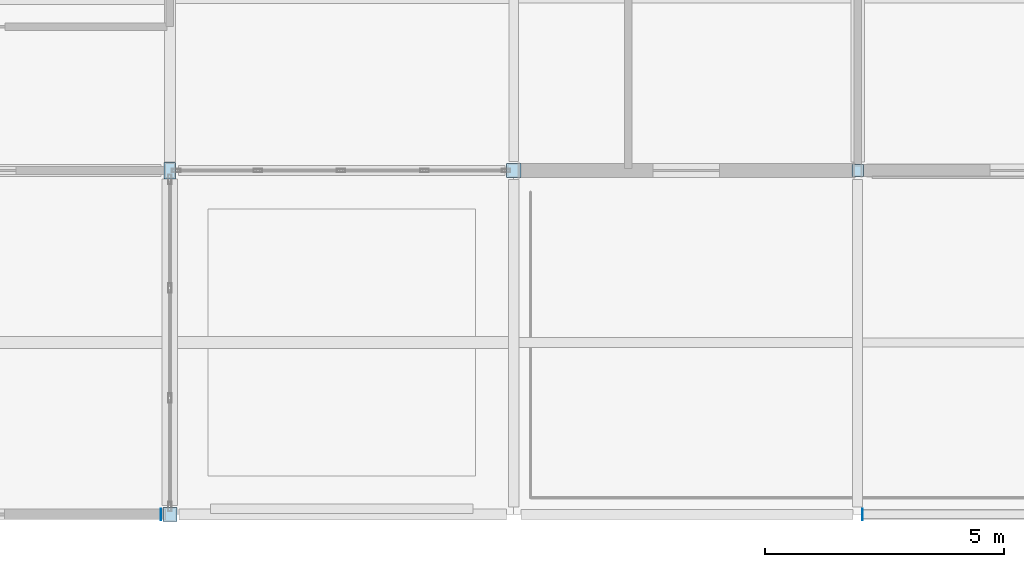
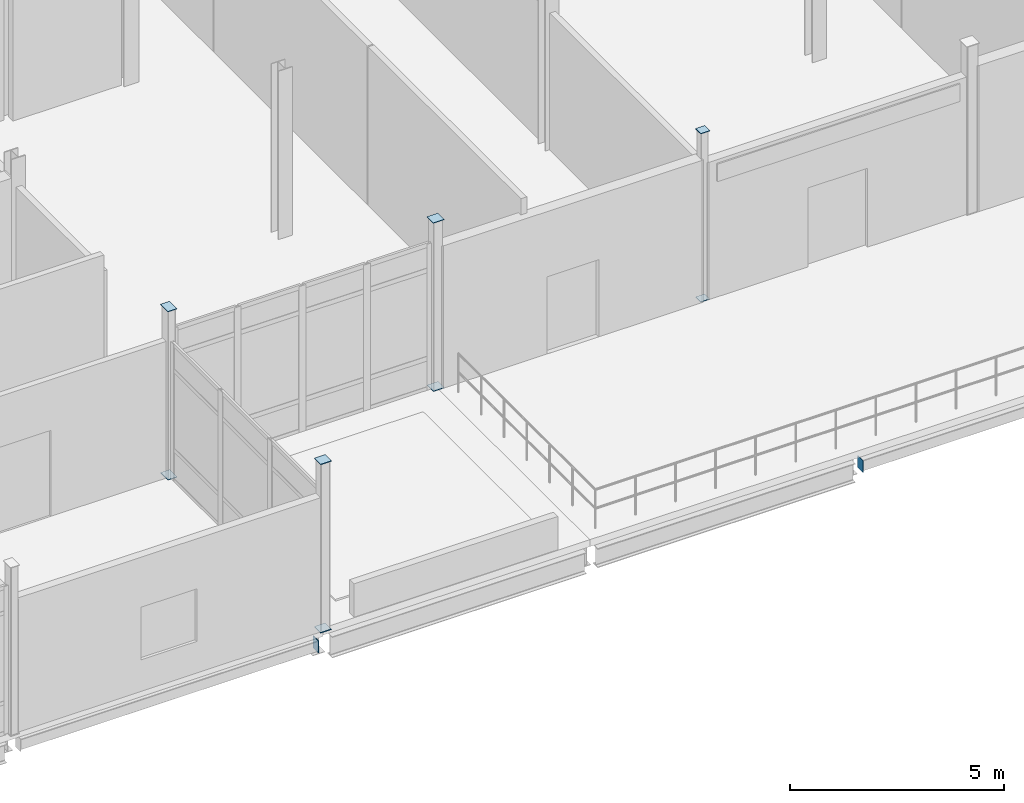
# One storey, part 142 of 186: 10 plates.
"""IFC4 building model written with IfcOpenShell, lengths in metres."""

from ifc_helpers import new_model, si_unit, direction, frame, origin, origin_2d, place, context, subcontext, project, spatial, rectangle, extrude, material, layer, layer_set, type_object, element, save


model = new_model("IFC4")

# Units and contexts
model_context = context("Model", 3, precision=1e-05, world=origin(), true_north=direction((0.0, 1.0)))
body_context = subcontext(model_context, "Body", "Model", "MODEL_VIEW")
ifc_project = project(units=[si_unit("LENGTHUNIT", "METRE"), si_unit("AREAUNIT", "SQUARE_METRE"), si_unit("VOLUMEUNIT", "CUBIC_METRE"), si_unit("PLANEANGLEUNIT", "RADIAN"), si_unit("MASSUNIT", "GRAM", prefix="KILO")], contexts=[model_context])

# Site, building, storey
site_placement = place(None, origin())
site = spatial("IfcSite", under=ifc_project, at=site_placement, CompositionType="ELEMENT")
building_placement = place(site_placement, origin())
building = spatial("IfcBuilding", under=site, at=building_placement, Name="Calvrana Isthmian Art Gallery", CompositionType="ELEMENT")
storey_placement = place(building_placement, frame((0.0, 0.0, 5.39990234375)))
storey = spatial("IfcBuildingStorey", under=building, at=storey_placement, Name="L01", CompositionType="ELEMENT", Elevation=5.39990234375)

# Plates
ifc_material = material(Name="Steel ASTM A572 Gr 50", Category="steel")
ifc_layer = layer(ifc_material, 0.01611328125, Name="Steel ASTM A572 Gr 50")
ifc_layer_set = layer_set([ifc_layer], Name="Steel ASTM A572 Gr 50")
plate_type = type_object("IfcPlateType", Name="PL-CAP-16", PredefinedType="SHEET", material=ifc_layer_set)
for number, where, z_axis, x_axis, name in (
    (1, (112.800048828125, 0.0, -0.008056640625), (0.0, 0.0, 1.0), (1.0, 0.0, 0.0), "Hollow section end cap plate 255"),
    (2, (112.800048828125, 0.0, 4.7919921875), (0.0, 0.0, 1.0), (1.0, 0.0, 0.0), "Hollow section end cap plate 256"),
):
    element("IfcPlate", number, at=place(storey_placement, frame(where, z_axis=z_axis, x_axis=x_axis)), inside=storey, type_object=plate_type, Name=name, PredefinedType="SHEET", context=body_context, shape_type="SweptSolid", body=[
        extrude(rectangle(XDim=0.2939453125, YDim=0.2939453125, at=origin_2d()), origin(), (0.0, 0.0, 1.0), 0.01611328125),
    ])
for number, where, z_axis, x_axis, name in (
    (3, (112.800048828125, 7.199951171875, -0.008056640625), (0.0, 0.0, 1.0), (1.0, 0.0, 0.0), "Hollow section end cap plate 257"),
    (4, (112.800048828125, 7.199951171875, 4.7919921875), (0.0, 0.0, 1.0), (1.0, 0.0, 0.0), "Hollow section end cap plate 258"),
):
    element("IfcPlate", number, at=place(storey_placement, frame(where, z_axis=z_axis, x_axis=x_axis)), inside=storey, type_object=plate_type, Name=name, PredefinedType="SHEET", context=body_context, shape_type="SweptSolid", body=[
        extrude(rectangle(XDim=0.2431640625, YDim=0.3447265625, at=origin_2d()), origin(), (0.0, 0.0, 1.0), 0.01611328125),
    ])
for number, where, z_axis, x_axis, name in (
    (5, (120.0, 7.199951171875, -0.008056640625), (0.0, 0.0, 1.0), (1.0, 0.0, 0.0), "Hollow section end cap plate 279"),
    (6, (120.0, 7.199951171875, 4.7919921875), (0.0, 0.0, 1.0), (1.0, 0.0, 0.0), "Hollow section end cap plate 280"),
):
    element("IfcPlate", number, at=place(storey_placement, frame(where, z_axis=z_axis, x_axis=x_axis)), inside=storey, type_object=plate_type, Name=name, PredefinedType="SHEET", context=body_context, shape_type="SweptSolid", body=[
        extrude(rectangle(XDim=0.2939453125, YDim=0.2939453125, at=origin_2d()), origin(), (0.0, 0.0, 1.0), 0.01611328125),
    ])
for number, where, z_axis, x_axis, name in (
    (7, (127.199951171875, 7.199951171875, -0.008056640625), (0.0, 0.0, 1.0), (1.0, 0.0, 0.0), "Hollow section end cap plate 293"),
    (8, (127.199951171875, 7.199951171875, 4.7919921875), (0.0, 0.0, 1.0), (1.0, 0.0, 0.0), "Hollow section end cap plate 294"),
):
    element("IfcPlate", number, at=place(storey_placement, frame(where, z_axis=z_axis, x_axis=x_axis)), inside=storey, type_object=plate_type, Name=name, PredefinedType="SHEET", context=body_context, shape_type="SweptSolid", body=[
        extrude(rectangle(XDim=0.2431640625, YDim=0.2431640625, at=origin_2d()), origin(), (0.0, 0.0, 1.0), 0.01611328125),
    ])
for number, where, z_axis, x_axis, name in (
    (9, (112.613525390625, 0.0, -0.569580078125), (0.0, 0.0, 1.0), (1.0, 0.0, 0.0), "Hollow section end cap plate 410"),
    (10, (127.301513671875, 0.0, -0.569580078125), (0.0, 0.0, 1.0), (1.0, 0.0, 0.0), "Hollow section end cap plate 411"),
):
    element("IfcPlate", number, at=place(storey_placement, frame(where, z_axis=z_axis, x_axis=x_axis)), inside=storey, type_object=plate_type, Name=name, PredefinedType="SHEET", context=body_context, shape_type="SweptSolid", body=[
        extrude(rectangle(XDim=0.01611328125, YDim=0.2431640625, at=origin_2d()), origin(), (0.0, 0.0, 1.0), 0.3447265625),
    ])

save(model, "model.ifc")
